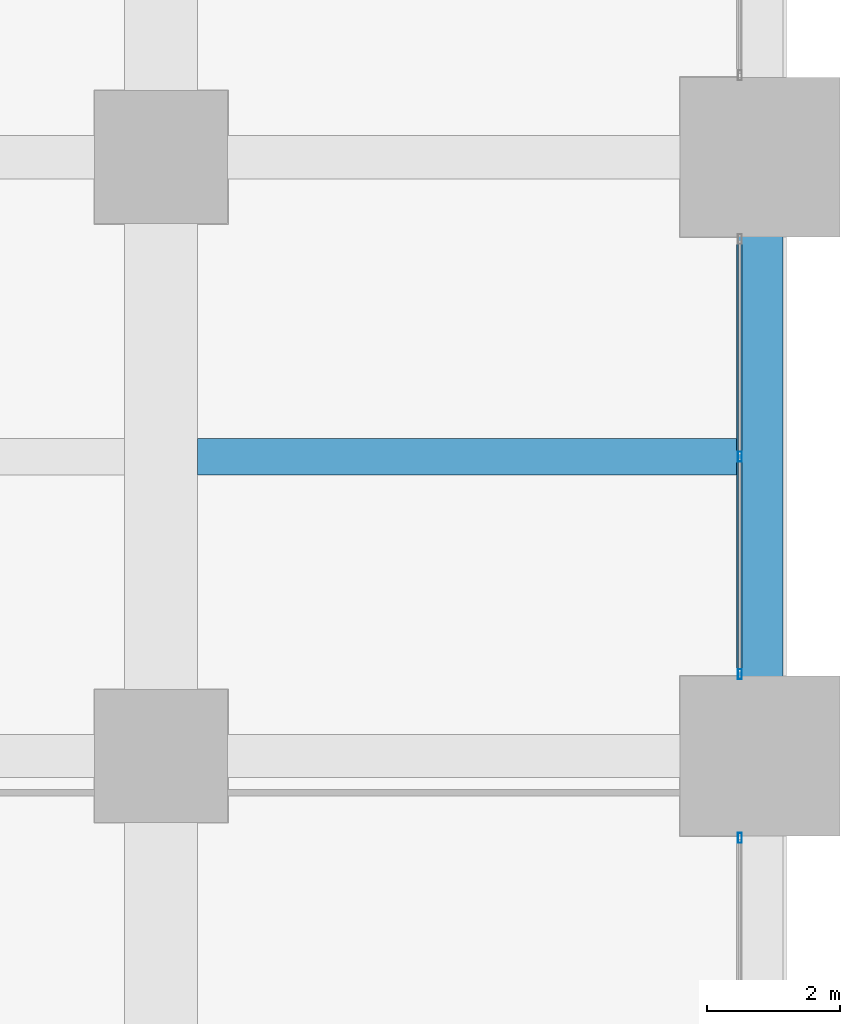
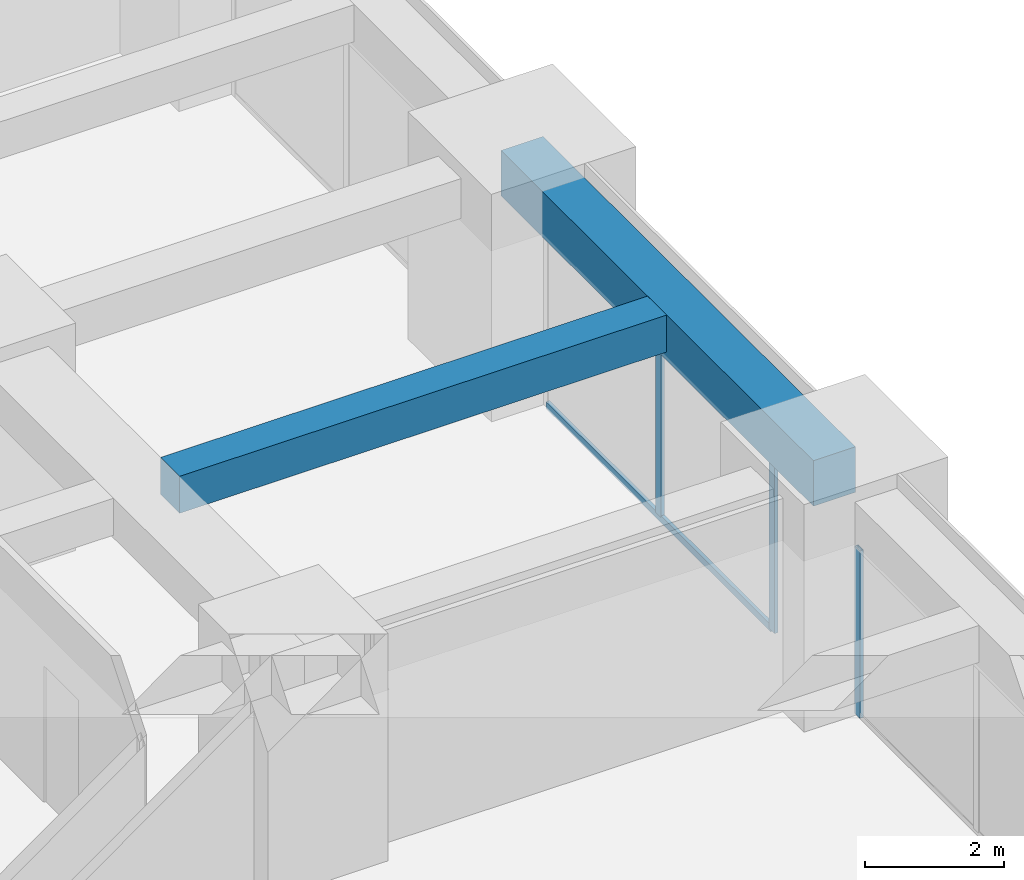
# One storey, part 21 of 41: 4 members, 2 beams, 2 elements without a shape of their own.
"""IFC4 building model written with IfcOpenShell, lengths in metres."""

import ifcopenshell
import ifcopenshell.guid

model = None  # the IFC model being written
_history = None  # IfcOwnerHistory: only IFC2X3 demands one
_inside = {}  # id of a spatial element -> (the spatial element, [elements in it])
_under = {}  # id of a project, library or spatial element -> (it, [spatial elements below it])
_declared = {}  # id of a project -> (the project, [libraries it declares])
_typed = {}  # id of a type object -> (the type object, [elements of that type])
_made_of = {}  # id of a material, layer set ... -> (it, [elements and type objects made of it])


def new_model(schema):
    """Start an empty IFC model of exactly this schema.

    Asked for "IFC4X3", IfcOpenShell would pick the latest addendum, in which some entities
    have other attributes; the version numbers below select the first issue.
    IFC2X3 requires an IfcOwnerHistory on every rooted entity: one is made here for all.
    """
    global model, _history
    if schema == "IFC4X3":
        model = ifcopenshell.file(schema_version=(4, 3, 0, 0))
    else:
        model = ifcopenshell.file(schema=schema)
    _inside.clear()
    _under.clear()
    _declared.clear()
    _typed.clear()
    _made_of.clear()
    _history = None
    if model.schema == "IFC2X3":
        org = make("IfcOrganization", Name="unknown")
        user = make(
            "IfcPersonAndOrganization",
            ThePerson=make("IfcPerson", FamilyName="unknown"),
            TheOrganization=org,
        )
        app = make(
            "IfcApplication",
            ApplicationDeveloper=org,
            Version="unknown",
            ApplicationFullName="unknown",
            ApplicationIdentifier="unknown",
        )
        _history = make(
            "IfcOwnerHistory",
            OwningUser=user,
            OwningApplication=app,
            ChangeAction="ADDED",
            CreationDate=0,
        )
    return model


def make(cls, **values):
    """One entity of the class cls with the attributes given. An attribute that is None is left unset."""
    return model.create_entity(
        cls, **{name: value for name, value in values.items() if value is not None}
    )


def rooted(cls, **values):
    """An entity with a GlobalId (a new one), such as an element, a storey or a relation."""
    return make(cls, GlobalId=ifcopenshell.guid.new(), OwnerHistory=_history, **values)


def si_unit(unit_type, name, prefix=None):
    """IfcSIUnit, for example si_unit("LENGTHUNIT", "METRE", prefix="MILLI")."""
    return make("IfcSIUnit", UnitType=unit_type, Prefix=prefix, Name=name)


def assignment(units):
    """IfcUnitAssignment: the units of a project."""
    return None if units is None else make("IfcUnitAssignment", Units=units)


def point(xyz):
    """IfcCartesianPoint."""
    return None if xyz is None else make("IfcCartesianPoint", Coordinates=xyz)


def direction(xyz):
    """IfcDirection."""
    return None if xyz is None else make("IfcDirection", DirectionRatios=xyz)


def frame(location, z_axis=None, x_axis=None):
    """IfcAxis2Placement3D, a coordinate frame: its origin and axes. An axis left out is left unset."""
    return make(
        "IfcAxis2Placement3D",
        Location=point(location),
        Axis=direction(z_axis),
        RefDirection=direction(x_axis),
    )


def frame_2d(location, x_axis=None):
    """IfcAxis2Placement2D, a coordinate frame in the plane: its origin and x axis."""
    return make(
        "IfcAxis2Placement2D", Location=point(location), RefDirection=direction(x_axis)
    )


def origin():
    """The frame at (0, 0, 0) with its axes left unset."""
    return frame((0.0, 0.0, 0.0))


def origin_2d():
    """The frame at (0, 0) in the plane with its x axis left unset."""
    return frame_2d((0.0, 0.0))


def place(relative_to, where):
    """IfcLocalPlacement: puts the frame where relative to a parent placement (None: the world)."""
    return make(
        "IfcLocalPlacement", PlacementRelTo=relative_to, RelativePlacement=where
    )


def context(
    kind, dimensions, precision=None, world=None, true_north=None, identifier=None
):
    """IfcGeometricRepresentationContext, for example the 3D "Model" context."""
    return make(
        "IfcGeometricRepresentationContext",
        ContextIdentifier=identifier,
        ContextType=kind,
        CoordinateSpaceDimension=dimensions,
        Precision=precision,
        WorldCoordinateSystem=world,
        TrueNorth=true_north,
    )


def subcontext(parent, identifier, kind, view, scale=None):
    """IfcGeometricRepresentationSubContext, for example "Body" below "Model"."""
    return make(
        "IfcGeometricRepresentationSubContext",
        ContextIdentifier=identifier,
        ContextType=kind,
        ParentContext=parent,
        TargetScale=scale,
        TargetView=view,
    )


def project(units=None, contexts=None):
    """IfcProject with its units and contexts."""
    return rooted(
        "IfcProject",
        Name="project",
        RepresentationContexts=contexts,
        UnitsInContext=assignment(units),
    )


def spatial(cls, under=None, at=None, **own):
    """A site, building, storey or space (cls), placed at a placement, below another one or the project."""
    s = rooted(cls, ObjectPlacement=at, **own)
    if under is not None:
        _under.setdefault(under.id(), (under, []))[1].append(s)
    return s


def profile(cls, at=None, kind="AREA", **sizes):
    """A parametric profile (cls). Its sizes go by their IFC names, for example OverallWidth=200.0."""
    return make(cls, ProfileType=kind, Position=at, **sizes)


def rectangle(**sizes):
    """IfcRectangleProfileDef."""
    return profile("IfcRectangleProfileDef", **sizes)


def hollow_rectangle(**sizes):
    """IfcRectangleHollowProfileDef."""
    return profile("IfcRectangleHollowProfileDef", **sizes)


def extrude(swept, where, along, depth):
    """IfcExtrudedAreaSolid: the profile swept, set in the frame where, extruded along a direction by depth."""
    return make(
        "IfcExtrudedAreaSolid",
        SweptArea=swept,
        Position=where,
        ExtrudedDirection=direction(along),
        Depth=depth,
    )


def shape(context_of_items, identifier, shape_type, items):
    """IfcShapeRepresentation: the items that make up one representation, for example the "Body"."""
    return make(
        "IfcShapeRepresentation",
        ContextOfItems=context_of_items,
        RepresentationIdentifier=identifier,
        RepresentationType=shape_type,
        Items=items,
    )


def material(Name=None, Category=None):
    """IfcMaterial."""
    return make("IfcMaterial", Name=Name, Category=Category)


def material_profile(
    of_material, cross_section, Name=None, Category=None, Priority=None
):
    """IfcMaterialProfile: a cross section and its material."""
    return make(
        "IfcMaterialProfile",
        Name=Name,
        Material=of_material,
        Profile=cross_section,
        Priority=Priority,
        Category=Category,
    )


def profile_set(profiles, Name=None, composite=None):
    """IfcMaterialProfileSet."""
    return make(
        "IfcMaterialProfileSet",
        Name=Name,
        MaterialProfiles=profiles,
        CompositeProfile=composite,
    )


def made_of(thing, what):
    """Note that an element or type object is made of a material, layer set ...; save() writes the relation."""
    if what is not None:
        _made_of.setdefault(what.id(), (what, []))[1].append(thing)
    return thing


def type_object(cls, material=None, **own):
    """A type object (cls), such as IfcWallType, which elements share."""
    return made_of(rooted(cls, **own), material)


def element(
    cls,
    number,
    at=None,
    inside=None,
    cuts=None,
    type_object=None,
    material=None,
    context=None,
    identifier="Body",
    shape_type=None,
    held_by="IfcProductDefinitionShape",
    body=None,
    shapes=None,
    **own,
):
    """One element of the class cls, such as IfcWall. Its Tag is "e" and its number.

    at: its placement. inside: the storey or other place that contains it. cuts: it is an
    opening in that element (IfcRelVoidsElement). A single representation is given by context,
    identifier, shape_type and body (its items); several are given by shapes. held_by: the class
    of the entity that holds the representations. save() writes the other relations.
    """
    e = rooted(cls, Tag="e%d" % number, ObjectPlacement=at, **own)
    if body is not None:
        shapes = [shape(context, identifier, shape_type, body)]
    if shapes is not None:
        e.Representation = make(held_by, Representations=shapes)
    if inside is not None:
        _inside.setdefault(inside.id(), (inside, []))[1].append(e)
    if cuts is not None:
        rooted(
            "IfcRelVoidsElement", RelatingBuildingElement=cuts, RelatedOpeningElement=e
        )
    if type_object is not None:
        _typed.setdefault(type_object.id(), (type_object, []))[1].append(e)
    return made_of(e, material)


def aggregate(whole, parts):
    """IfcRelAggregates: a whole, such as a stair, and the parts it consists of."""
    return rooted("IfcRelAggregates", RelatingObject=whole, RelatedObjects=parts)


def save(model, path):
    """Write the relations noted so far, then the file.

    IfcRelAggregates (storeys below a building ...), IfcRelContainedInSpatialStructure (elements
    in a storey), IfcRelDefinesByType, IfcRelAssociatesMaterial and IfcRelDeclares: one each for
    every whole, place, type object, material and project.
    """
    for whole, parts in _under.values():
        aggregate(whole, parts)
    for where, things in _inside.values():
        rooted(
            "IfcRelContainedInSpatialStructure",
            RelatedElements=things,
            RelatingStructure=where,
        )
    for kind, things in _typed.values():
        rooted("IfcRelDefinesByType", RelatedObjects=things, RelatingType=kind)
    for what, things in _made_of.values():
        rooted("IfcRelAssociatesMaterial", RelatedObjects=things, RelatingMaterial=what)
    for by, libraries in _declared.values():
        rooted("IfcRelDeclares", RelatingContext=by, RelatedDefinitions=libraries)
    model.write(path)


model = new_model("IFC4")

# Units and contexts
model_context = context("Model", 3, precision=1e-05, world=origin(), true_north=direction((0.0, 1.0)))
body_context = subcontext(model_context, "Body", "Model", "MODEL_VIEW")
ifc_project = project(units=[si_unit("LENGTHUNIT", "METRE"), si_unit("AREAUNIT", "SQUARE_METRE"), si_unit("VOLUMEUNIT", "CUBIC_METRE"), si_unit("PLANEANGLEUNIT", "RADIAN"), si_unit("MASSUNIT", "GRAM", prefix="KILO")], contexts=[model_context])

# Site, building, storey
site_placement = place(None, origin())
site = spatial("IfcSite", under=ifc_project, at=site_placement, CompositionType="ELEMENT")
building_placement = place(site_placement, origin())
building = spatial("IfcBuilding", under=site, at=building_placement, Name="Zorevar Civic Tower", CompositionType="ELEMENT")
storey_placement = place(building_placement, frame((0.0, 0.0, 105.0)))
storey = spatial("IfcBuildingStorey", under=building, at=storey_placement, Name="L25", CompositionType="ELEMENT", Elevation=105.0)

# Beam
ifc_material_1 = material(Name="Concrete C50/60", Category="concrete")
ifc_material_profile_1 = material_profile(ifc_material_1, rectangle(XDim=0.550048828125, YDim=0.64990234375, at=origin_2d()), Name="RC 550x650")
ifc_profile_set_1 = profile_set([ifc_material_profile_1], Name="Concrete C50/60")
beam_type_1 = type_object("IfcBeamType", Name="Beam RC 550x650", PredefinedType="BEAM", material=ifc_profile_set_1)
beam_1_placement = place(storey_placement, frame((54.550048828125, 22.5, 3.425048828125), z_axis=(1.0, 0.0, 0.0), x_axis=(0.0, 1.0, 0.0)))
element("IfcBeam", 1, at=beam_1_placement, inside=storey, type_object=beam_type_1, Name="Secondary beam L26", PredefinedType="BEAM", context=body_context, shape_type="SweptSolid", body=[
    extrude(rectangle(XDim=0.550048828125, YDim=0.64990234375, at=origin_2d()), origin(), (0.0, 0.0, 1.0), 8.099853515625),
])

# Curtain wall, member
ifc_material_2 = material(Name="Dark grey solar-control glass in black aluminium frame", Category="aluminium")
curtain_wall_type = type_object("IfcCurtainWallType", Name="Curtain wall CW3 mid zone", PredefinedType="NOTDEFINED", material=ifc_material_2)
curtain_wall_1_placement = place(storey_placement, origin())
curtain_wall_1 = element("IfcCurtainWall", 2, at=curtain_wall_1_placement, inside=storey, type_object=curtain_wall_type, Name="CW3 L25", PredefinedType="NOTDEFINED")
ifc_material_3 = material(Name="Aluminium, black anodised", Category="aluminium")
ifc_material_profile_2 = material_profile(ifc_material_3, hollow_rectangle(XDim=0.06005859375, YDim=0.14990234375, WallThickness=0.00390625, at=origin_2d()), Name="AL 150x60x4")
ifc_profile_set_2 = profile_set([ifc_material_profile_2], Name="Aluminium, black anodised")
member_type_1 = type_object("IfcMemberType", Name="CW3 mullion AL 150x60x4", PredefinedType="MULLION", material=ifc_profile_set_2)
member_1_placement = place(storey_placement, frame((62.699951171875, 16.77001953125, 0.0), z_axis=(0.0, 0.0, 1.0), x_axis=(-1.0, 0.0, 0.0)))
member_1 = element("IfcMember", 3, at=member_1_placement, type_object=member_type_1, Name="CW3 mullion 3", PredefinedType="MULLION", context=body_context, shape_type="SweptSolid", body=[
    extrude(hollow_rectangle(XDim=0.06005859375, YDim=0.14990234375, WallThickness=0.00390625, at=origin_2d()), origin(), (0.0, 0.0, 1.0), 2.949951171875),
])
aggregate(curtain_wall_1, [member_1])

# Curtain wall, members
curtain_wall_2_placement = place(storey_placement, origin())
curtain_wall_2 = element("IfcCurtainWall", 4, at=curtain_wall_2_placement, inside=storey, type_object=curtain_wall_type, Name="CW3 L25", PredefinedType="NOTDEFINED")
member_2_placement = place(storey_placement, frame((62.699951171875, 19.22998046875, 0.0), z_axis=(0.0, 0.0, 1.0), x_axis=(-1.0, 0.0, 0.0)))
member_2 = element("IfcMember", 5, at=member_2_placement, type_object=member_type_1, Name="CW3 mullion 1", PredefinedType="MULLION", context=body_context, shape_type="SweptSolid", body=[
    extrude(hollow_rectangle(XDim=0.06005859375, YDim=0.14990234375, WallThickness=0.00390625, at=origin_2d()), origin(), (0.0, 0.0, 1.0), 2.949951171875),
])
member_3_placement = place(storey_placement, frame((62.699951171875, 22.5, 0.06005859375), z_axis=(0.0, 0.0, 1.0), x_axis=(-1.0, 0.0, 0.0)))
member_3 = element("IfcMember", 6, at=member_3_placement, type_object=member_type_1, Name="CW3 mullion 2", PredefinedType="MULLION", context=body_context, shape_type="SweptSolid", body=[
    extrude(hollow_rectangle(XDim=0.06005859375, YDim=0.14990234375, WallThickness=0.00390625, at=origin_2d()), origin(), (0.0, 0.0, 1.0), 2.889892578125),
])
ifc_material_4 = material(Name="Aluminium, black anodised", Category="aluminium")
ifc_material_profile_3 = material_profile(ifc_material_4, hollow_rectangle(XDim=0.06005859375, YDim=0.1201171875, WallThickness=0.0029296875, at=origin_2d()), Name="AL 120x60x3")
ifc_profile_set_3 = profile_set([ifc_material_profile_3], Name="Aluminium, black anodised")
member_type_2 = type_object("IfcMemberType", Name="CW3 transom AL 120x60x3", PredefinedType="USERDEFINED", material=ifc_profile_set_3)
member_4_placement = place(storey_placement, frame((62.699951171875, 19.260009765625, 0.030029296875), z_axis=(0.0, 1.0, 0.0), x_axis=(-1.0, 0.0, 0.0)))
member_4 = element("IfcMember", 7, at=member_4_placement, type_object=member_type_2, Name="CW3 sill transom", ObjectType="TRANSOM", PredefinedType="USERDEFINED", context=body_context, shape_type="SweptSolid", body=[
    extrude(hollow_rectangle(XDim=0.06005859375, YDim=0.1201171875, WallThickness=0.0029296875, at=origin_2d()), origin(), (0.0, 0.0, 1.0), 6.47998046875),
])
aggregate(curtain_wall_2, [member_2, member_3, member_4])

# Beam
ifc_material_5 = material(Name="Concrete C50/60", Category="concrete")
ifc_material_profile_4 = material_profile(ifc_material_5, rectangle(XDim=0.699951171875, YDim=0.800048828125, at=origin_2d()), Name="RC 700x800")
ifc_profile_set_4 = profile_set([ifc_material_profile_4], Name="Concrete C50/60")
beam_type_2 = type_object("IfcBeamType", Name="Edge beam RC 700x800", PredefinedType="SPANDREL", material=ifc_profile_set_4)
beam_2_placement = place(storey_placement, frame((63.0, 18.0, 3.35009765625), z_axis=(0.0, 1.0, 0.0), x_axis=(-1.0, 0.0, 0.0)))
element("IfcBeam", 8, at=beam_2_placement, inside=storey, type_object=beam_type_2, Name="Edge beam L26", PredefinedType="SPANDREL", context=body_context, shape_type="SweptSolid", body=[
    extrude(rectangle(XDim=0.699951171875, YDim=0.800048828125, at=origin_2d()), origin(), (0.0, 0.0, 1.0), 9.0),
])

save(model, "model.ifc")
